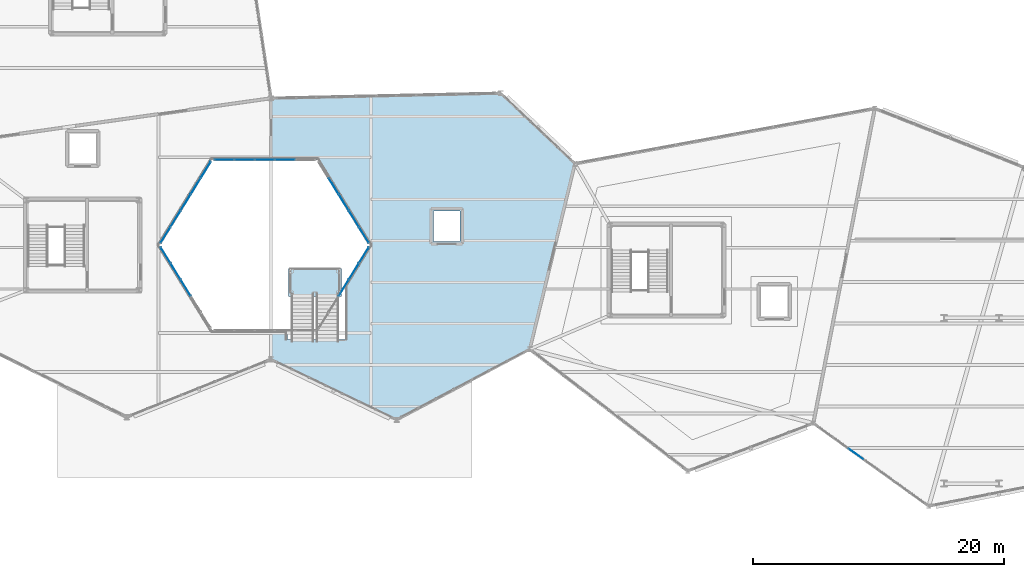
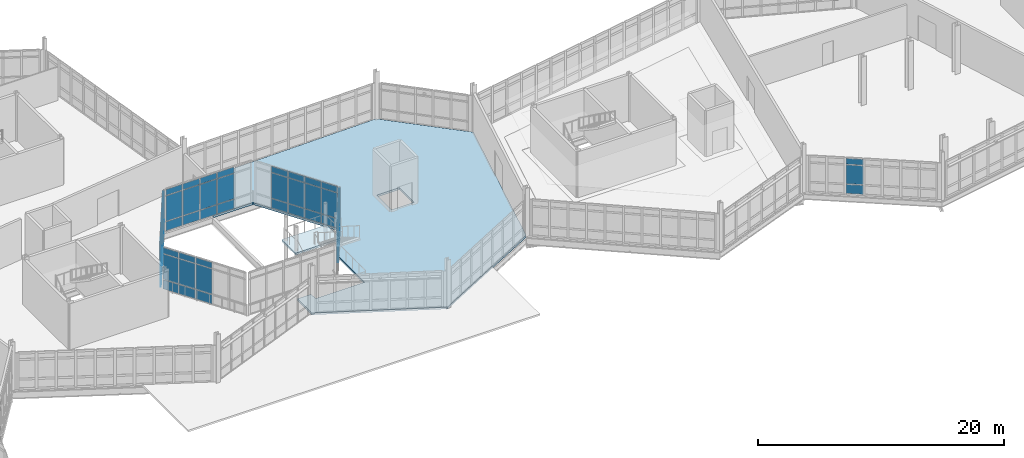
# One storey, part 88 of 134: 60 plates, 2 slabs, 7 elements without a shape of their own.
"""IFC4 building model written with IfcOpenShell, lengths in metres."""

from ifc_helpers import new_model, si_unit, direction, frame, origin, origin_2d, place, context, subcontext, project, spatial, polyline, rectangle, outline, extrude, material, layer, layer_set, type_object, element, aggregate, save


model = new_model("IFC4")

# Units and contexts
model_context = context("Model", 3, precision=1e-05, world=origin(), true_north=direction((0.0, 1.0)))
body_context = subcontext(model_context, "Body", "Model", "MODEL_VIEW")
ifc_project = project(units=[si_unit("LENGTHUNIT", "METRE"), si_unit("AREAUNIT", "SQUARE_METRE"), si_unit("VOLUMEUNIT", "CUBIC_METRE"), si_unit("PLANEANGLEUNIT", "RADIAN"), si_unit("MASSUNIT", "GRAM", prefix="KILO")], contexts=[model_context])

# Site, building, storey
site_placement = place(None, origin())
site = spatial("IfcSite", under=ifc_project, at=site_placement, CompositionType="ELEMENT")
building_placement = place(site_placement, origin())
building = spatial("IfcBuilding", under=site, at=building_placement, Name="Tameran Prism Museum", CompositionType="ELEMENT")
storey_placement = place(building_placement, frame((0.0, 0.0, 5.39990234375)))
storey = spatial("IfcBuildingStorey", under=building, at=storey_placement, Name="L01", CompositionType="ELEMENT", Elevation=5.39990234375)

# Curtain wall, plates
ifc_material_1 = material(Name="Anodised Aluminium 6063-T6 and Cyclone Solar Glass", Category="aluminium")
curtain_wall_type_1 = type_object("IfcCurtainWallType", Name="CW-ATR-769x424", PredefinedType="USERDEFINED", material=ifc_material_1)
curtain_wall_1_placement = place(storey_placement, origin())
curtain_wall_1 = element("IfcCurtainWall", 1, at=curtain_wall_1_placement, inside=storey, type_object=curtain_wall_type_1, Name="Unitised Curtain Wall CW-001", ObjectType="UNITISED CURTAIN WALL", PredefinedType="USERDEFINED")
ifc_material_2 = material(Name="Low-E Laminated Solar Glass", Category="glass")
ifc_layer_1 = layer(ifc_material_2, 0.028076171875)
ifc_layer_set_1 = layer_set([ifc_layer_1])
plate_type_1 = type_object("IfcPlateType", Name="CW-PNL-G28", PredefinedType="CURTAIN_PANEL", material=ifc_layer_set_1)
plate_1_placement = place(storey_placement, frame((69.091796875, 35.703857421875, 0.06494140625), z_axis=(0.0, 0.0, 1.0), x_axis=(0.525503952357, -0.850791158897, 0.0)))
plate_1 = element("IfcPlate", 2, at=plate_1_placement, type_object=plate_type_1, Name="CW-001 panel 1.1", PredefinedType="CURTAIN_PANEL", context=body_context, shape_type="SweptSolid", body=[
    extrude(rectangle(XDim=1.44091796875, YDim=0.028076171875, at=origin_2d()), origin(), (0.0, 0.0, 1.0), 0.902587890625),
])
plate_2_placement = place(storey_placement, frame((69.091796875, 35.703857421875, 1.032470703125), z_axis=(0.0, 0.0, 1.0), x_axis=(0.525503952357, -0.850791158897, 0.0)))
plate_2 = element("IfcPlate", 3, at=plate_2_placement, type_object=plate_type_1, Name="CW-001 panel 1.2", PredefinedType="CURTAIN_PANEL", context=body_context, shape_type="SweptSolid", body=[
    extrude(rectangle(XDim=1.44091796875, YDim=0.028076171875, at=origin_2d()), origin(), (0.0, 0.0, 1.0), 2.4951171875),
])
plate_3_placement = place(storey_placement, frame((69.091796875, 35.703857421875, 3.592529296875), z_axis=(0.0, 0.0, 1.0), x_axis=(0.525503952357, -0.850791158897, 0.0)))
plate_3 = element("IfcPlate", 4, at=plate_3_placement, type_object=plate_type_1, Name="CW-001 panel 1.3", PredefinedType="CURTAIN_PANEL", context=body_context, shape_type="SweptSolid", body=[
    extrude(rectangle(XDim=1.44091796875, YDim=0.028076171875, at=origin_2d()), origin(), (0.0, 0.0, 1.0), 0.58251953125),
])
plate_4_placement = place(storey_placement, frame((69.8916015625, 34.40869140625, 0.06494140625), z_axis=(0.0, 0.0, 1.0), x_axis=(0.525503952357, -0.850791158897, 0.0)))
plate_4 = element("IfcPlate", 5, at=plate_4_placement, type_object=plate_type_1, Name="CW-001 panel 2.1", PredefinedType="CURTAIN_PANEL", context=body_context, shape_type="SweptSolid", body=[
    extrude(rectangle(XDim=1.473388671875, YDim=0.028076171875, at=origin_2d()), origin(), (0.0, 0.0, 1.0), 0.902587890625),
])
plate_5_placement = place(storey_placement, frame((69.8916015625, 34.40869140625, 1.032470703125), z_axis=(0.0, 0.0, 1.0), x_axis=(0.525503952357, -0.850791158897, 0.0)))
plate_5 = element("IfcPlate", 6, at=plate_5_placement, type_object=plate_type_1, Name="CW-001 panel 2.2", PredefinedType="CURTAIN_PANEL", context=body_context, shape_type="SweptSolid", body=[
    extrude(rectangle(XDim=1.473388671875, YDim=0.028076171875, at=origin_2d()), origin(), (0.0, 0.0, 1.0), 2.4951171875),
])
plate_6_placement = place(storey_placement, frame((69.8916015625, 34.40869140625, 3.592529296875), z_axis=(0.0, 0.0, 1.0), x_axis=(0.525503952357, -0.850791158897, 0.0)))
plate_6 = element("IfcPlate", 7, at=plate_6_placement, type_object=plate_type_1, Name="CW-001 panel 2.3", PredefinedType="CURTAIN_PANEL", context=body_context, shape_type="SweptSolid", body=[
    extrude(rectangle(XDim=1.473388671875, YDim=0.028076171875, at=origin_2d()), origin(), (0.0, 0.0, 1.0), 0.58251953125),
])
plate_7_placement = place(storey_placement, frame((70.699951171875, 33.10009765625, 0.06494140625), z_axis=(0.0, 0.0, 1.0), x_axis=(0.525503952357, -0.850791158897, 0.0)))
plate_7 = element("IfcPlate", 8, at=plate_7_placement, type_object=plate_type_1, Name="CW-001 panel 3.1", PredefinedType="CURTAIN_PANEL", context=body_context, shape_type="SweptSolid", body=[
    extrude(rectangle(XDim=1.473388671875, YDim=0.028076171875, at=origin_2d()), origin(), (0.0, 0.0, 1.0), 0.902587890625),
])
plate_8_placement = place(storey_placement, frame((70.699951171875, 33.10009765625, 1.032470703125), z_axis=(0.0, 0.0, 1.0), x_axis=(0.525503952357, -0.850791158897, 0.0)))
plate_8 = element("IfcPlate", 9, at=plate_8_placement, type_object=plate_type_1, Name="CW-001 panel 3.2", PredefinedType="CURTAIN_PANEL", context=body_context, shape_type="SweptSolid", body=[
    extrude(rectangle(XDim=1.473388671875, YDim=0.028076171875, at=origin_2d()), origin(), (0.0, 0.0, 1.0), 2.4951171875),
])
plate_9_placement = place(storey_placement, frame((70.699951171875, 33.10009765625, 3.592529296875), z_axis=(0.0, 0.0, 1.0), x_axis=(0.525503952357, -0.850791158897, 0.0)))
plate_9 = element("IfcPlate", 10, at=plate_9_placement, type_object=plate_type_1, Name="CW-001 panel 3.3", PredefinedType="CURTAIN_PANEL", context=body_context, shape_type="SweptSolid", body=[
    extrude(rectangle(XDim=1.473388671875, YDim=0.028076171875, at=origin_2d()), origin(), (0.0, 0.0, 1.0), 0.58251953125),
])
aggregate(curtain_wall_1, [plate_1, plate_2, plate_3, plate_4, plate_5, plate_6, plate_7, plate_8, plate_9])

curtain_wall_2_placement = place(storey_placement, origin())
curtain_wall_2 = element("IfcCurtainWall", 11, at=curtain_wall_2_placement, inside=storey, type_object=curtain_wall_type_1, Name="Unitised Curtain Wall CW-003", ObjectType="UNITISED CURTAIN WALL", PredefinedType="USERDEFINED")
plate_10_placement = place(storey_placement, frame((83.300048828125, 33.10009765625, 0.06494140625), z_axis=(0.0, 0.0, 1.0), x_axis=(0.525503952357, 0.850791158897, 0.0)))
plate_10 = element("IfcPlate", 12, at=plate_10_placement, type_object=plate_type_1, Name="CW-003 panel 3.1", PredefinedType="CURTAIN_PANEL", context=body_context, shape_type="SweptSolid", body=[
    extrude(rectangle(XDim=1.473388671875, YDim=0.028076171875, at=origin_2d()), origin(), (0.0, 0.0, 1.0), 0.902587890625),
])
plate_11_placement = place(storey_placement, frame((83.300048828125, 33.10009765625, 1.032470703125), z_axis=(0.0, 0.0, 1.0), x_axis=(0.525503952357, 0.850791158897, 0.0)))
plate_11 = element("IfcPlate", 13, at=plate_11_placement, type_object=plate_type_1, Name="CW-003 panel 3.2", PredefinedType="CURTAIN_PANEL", context=body_context, shape_type="SweptSolid", body=[
    extrude(rectangle(XDim=1.473388671875, YDim=0.028076171875, at=origin_2d()), origin(), (0.0, 0.0, 1.0), 2.4951171875),
])
plate_12_placement = place(storey_placement, frame((83.300048828125, 33.10009765625, 3.592529296875), z_axis=(0.0, 0.0, 1.0), x_axis=(0.525503952357, 0.850791158897, 0.0)))
plate_12 = element("IfcPlate", 14, at=plate_12_placement, type_object=plate_type_1, Name="CW-003 panel 3.3", PredefinedType="CURTAIN_PANEL", context=body_context, shape_type="SweptSolid", body=[
    extrude(rectangle(XDim=1.473388671875, YDim=0.028076171875, at=origin_2d()), origin(), (0.0, 0.0, 1.0), 0.58251953125),
])
plate_13_placement = place(storey_placement, frame((84.1083984375, 34.40869140625, 0.06494140625), z_axis=(0.0, 0.0, 1.0), x_axis=(0.525503952357, 0.850791158897, 0.0)))
plate_13 = element("IfcPlate", 15, at=plate_13_placement, type_object=plate_type_1, Name="CW-003 panel 4.1", PredefinedType="CURTAIN_PANEL", context=body_context, shape_type="SweptSolid", body=[
    extrude(rectangle(XDim=1.473388671875, YDim=0.028076171875, at=origin_2d()), origin(), (0.0, 0.0, 1.0), 0.902587890625),
])
plate_14_placement = place(storey_placement, frame((84.1083984375, 34.40869140625, 1.032470703125), z_axis=(0.0, 0.0, 1.0), x_axis=(0.525503952357, 0.850791158897, 0.0)))
plate_14 = element("IfcPlate", 16, at=plate_14_placement, type_object=plate_type_1, Name="CW-003 panel 4.2", PredefinedType="CURTAIN_PANEL", context=body_context, shape_type="SweptSolid", body=[
    extrude(rectangle(XDim=1.473388671875, YDim=0.028076171875, at=origin_2d()), origin(), (0.0, 0.0, 1.0), 2.4951171875),
])
plate_15_placement = place(storey_placement, frame((84.1083984375, 34.40869140625, 3.592529296875), z_axis=(0.0, 0.0, 1.0), x_axis=(0.525503952357, 0.850791158897, 0.0)))
plate_15 = element("IfcPlate", 17, at=plate_15_placement, type_object=plate_type_1, Name="CW-003 panel 4.3", PredefinedType="CURTAIN_PANEL", context=body_context, shape_type="SweptSolid", body=[
    extrude(rectangle(XDim=1.473388671875, YDim=0.028076171875, at=origin_2d()), origin(), (0.0, 0.0, 1.0), 0.58251953125),
])
plate_16_placement = place(storey_placement, frame((84.908203125, 35.703857421875, 0.06494140625), z_axis=(0.0, 0.0, 1.0), x_axis=(0.525503952357, 0.850791158897, 0.0)))
plate_16 = element("IfcPlate", 18, at=plate_16_placement, type_object=plate_type_1, Name="CW-003 panel 5.1", PredefinedType="CURTAIN_PANEL", context=body_context, shape_type="SweptSolid", body=[
    extrude(rectangle(XDim=1.44091796875, YDim=0.028076171875, at=origin_2d()), origin(), (0.0, 0.0, 1.0), 0.902587890625),
])
plate_17_placement = place(storey_placement, frame((84.908203125, 35.703857421875, 1.032470703125), z_axis=(0.0, 0.0, 1.0), x_axis=(0.525503952357, 0.850791158897, 0.0)))
plate_17 = element("IfcPlate", 19, at=plate_17_placement, type_object=plate_type_1, Name="CW-003 panel 5.2", PredefinedType="CURTAIN_PANEL", context=body_context, shape_type="SweptSolid", body=[
    extrude(rectangle(XDim=1.44091796875, YDim=0.028076171875, at=origin_2d()), origin(), (0.0, 0.0, 1.0), 2.4951171875),
])
plate_18_placement = place(storey_placement, frame((84.908203125, 35.703857421875, 3.592529296875), z_axis=(0.0, 0.0, 1.0), x_axis=(0.525503952357, 0.850791158897, 0.0)))
plate_18 = element("IfcPlate", 20, at=plate_18_placement, type_object=plate_type_1, Name="CW-003 panel 5.3", PredefinedType="CURTAIN_PANEL", context=body_context, shape_type="SweptSolid", body=[
    extrude(rectangle(XDim=1.44091796875, YDim=0.028076171875, at=origin_2d()), origin(), (0.0, 0.0, 1.0), 0.58251953125),
])
aggregate(curtain_wall_2, [plate_10, plate_11, plate_12, plate_13, plate_14, plate_15, plate_16, plate_17, plate_18])

curtain_wall_3_placement = place(storey_placement, origin())
curtain_wall_3 = element("IfcCurtainWall", 21, at=curtain_wall_3_placement, inside=storey, type_object=curtain_wall_type_1, Name="Unitised Curtain Wall CW-004", ObjectType="UNITISED CURTAIN WALL", PredefinedType="USERDEFINED")
plate_19_placement = place(storey_placement, frame((84.908203125, 37.296142578125, 0.06494140625), z_axis=(0.0, 0.0, 1.0), x_axis=(-0.525503952357, 0.850791158897, 0.0)))
plate_19 = element("IfcPlate", 22, at=plate_19_placement, type_object=plate_type_1, Name="CW-004 panel 1.1", PredefinedType="CURTAIN_PANEL", context=body_context, shape_type="SweptSolid", body=[
    extrude(rectangle(XDim=1.44091796875, YDim=0.028076171875, at=origin_2d()), origin(), (0.0, 0.0, 1.0), 0.902587890625),
])
plate_20_placement = place(storey_placement, frame((84.908203125, 37.296142578125, 1.032470703125), z_axis=(0.0, 0.0, 1.0), x_axis=(-0.525503952357, 0.850791158897, 0.0)))
plate_20 = element("IfcPlate", 23, at=plate_20_placement, type_object=plate_type_1, Name="CW-004 panel 1.2", PredefinedType="CURTAIN_PANEL", context=body_context, shape_type="SweptSolid", body=[
    extrude(rectangle(XDim=1.44091796875, YDim=0.028076171875, at=origin_2d()), origin(), (0.0, 0.0, 1.0), 2.4951171875),
])
plate_21_placement = place(storey_placement, frame((84.908203125, 37.296142578125, 3.592529296875), z_axis=(0.0, 0.0, 1.0), x_axis=(-0.525503952357, 0.850791158897, 0.0)))
plate_21 = element("IfcPlate", 24, at=plate_21_placement, type_object=plate_type_1, Name="CW-004 panel 1.3", PredefinedType="CURTAIN_PANEL", context=body_context, shape_type="SweptSolid", body=[
    extrude(rectangle(XDim=1.44091796875, YDim=0.028076171875, at=origin_2d()), origin(), (0.0, 0.0, 1.0), 0.58251953125),
])
plate_22_placement = place(storey_placement, frame((84.1083984375, 38.59130859375, 0.06494140625), z_axis=(0.0, 0.0, 1.0), x_axis=(-0.525503952357, 0.850791158897, 0.0)))
plate_22 = element("IfcPlate", 25, at=plate_22_placement, type_object=plate_type_1, Name="CW-004 panel 2.1", PredefinedType="CURTAIN_PANEL", context=body_context, shape_type="SweptSolid", body=[
    extrude(rectangle(XDim=1.473388671875, YDim=0.028076171875, at=origin_2d()), origin(), (0.0, 0.0, 1.0), 0.902587890625),
])
plate_23_placement = place(storey_placement, frame((84.1083984375, 38.59130859375, 1.032470703125), z_axis=(0.0, 0.0, 1.0), x_axis=(-0.525503952357, 0.850791158897, 0.0)))
plate_23 = element("IfcPlate", 26, at=plate_23_placement, type_object=plate_type_1, Name="CW-004 panel 2.2", PredefinedType="CURTAIN_PANEL", context=body_context, shape_type="SweptSolid", body=[
    extrude(rectangle(XDim=1.473388671875, YDim=0.028076171875, at=origin_2d()), origin(), (0.0, 0.0, 1.0), 2.4951171875),
])
plate_24_placement = place(storey_placement, frame((84.1083984375, 38.59130859375, 3.592529296875), z_axis=(0.0, 0.0, 1.0), x_axis=(-0.525503952357, 0.850791158897, 0.0)))
plate_24 = element("IfcPlate", 27, at=plate_24_placement, type_object=plate_type_1, Name="CW-004 panel 2.3", PredefinedType="CURTAIN_PANEL", context=body_context, shape_type="SweptSolid", body=[
    extrude(rectangle(XDim=1.473388671875, YDim=0.028076171875, at=origin_2d()), origin(), (0.0, 0.0, 1.0), 0.58251953125),
])
plate_25_placement = place(storey_placement, frame((83.300048828125, 39.89990234375, 0.06494140625), z_axis=(0.0, 0.0, 1.0), x_axis=(-0.525503952357, 0.850791158897, 0.0)))
plate_25 = element("IfcPlate", 28, at=plate_25_placement, type_object=plate_type_1, Name="CW-004 panel 3.1", PredefinedType="CURTAIN_PANEL", context=body_context, shape_type="SweptSolid", body=[
    extrude(rectangle(XDim=1.473388671875, YDim=0.028076171875, at=origin_2d()), origin(), (0.0, 0.0, 1.0), 0.902587890625),
])
plate_26_placement = place(storey_placement, frame((83.300048828125, 39.89990234375, 1.032470703125), z_axis=(0.0, 0.0, 1.0), x_axis=(-0.525503952357, 0.850791158897, 0.0)))
plate_26 = element("IfcPlate", 29, at=plate_26_placement, type_object=plate_type_1, Name="CW-004 panel 3.2", PredefinedType="CURTAIN_PANEL", context=body_context, shape_type="SweptSolid", body=[
    extrude(rectangle(XDim=1.473388671875, YDim=0.028076171875, at=origin_2d()), origin(), (0.0, 0.0, 1.0), 2.4951171875),
])
plate_27_placement = place(storey_placement, frame((83.300048828125, 39.89990234375, 3.592529296875), z_axis=(0.0, 0.0, 1.0), x_axis=(-0.525503952357, 0.850791158897, 0.0)))
plate_27 = element("IfcPlate", 30, at=plate_27_placement, type_object=plate_type_1, Name="CW-004 panel 3.3", PredefinedType="CURTAIN_PANEL", context=body_context, shape_type="SweptSolid", body=[
    extrude(rectangle(XDim=1.473388671875, YDim=0.028076171875, at=origin_2d()), origin(), (0.0, 0.0, 1.0), 0.58251953125),
])
plate_28_placement = place(storey_placement, frame((82.49169921875, 41.208740234375, 0.06494140625), z_axis=(0.0, 0.0, 1.0), x_axis=(-0.525503952357, 0.850791158897, 0.0)))
plate_28 = element("IfcPlate", 31, at=plate_28_placement, type_object=plate_type_1, Name="CW-004 panel 4.1", PredefinedType="CURTAIN_PANEL", context=body_context, shape_type="SweptSolid", body=[
    extrude(rectangle(XDim=1.473388671875, YDim=0.028076171875, at=origin_2d()), origin(), (0.0, 0.0, 1.0), 0.902587890625),
])
plate_29_placement = place(storey_placement, frame((82.49169921875, 41.208740234375, 1.032470703125), z_axis=(0.0, 0.0, 1.0), x_axis=(-0.525503952357, 0.850791158897, 0.0)))
plate_29 = element("IfcPlate", 32, at=plate_29_placement, type_object=plate_type_1, Name="CW-004 panel 4.2", PredefinedType="CURTAIN_PANEL", context=body_context, shape_type="SweptSolid", body=[
    extrude(rectangle(XDim=1.473388671875, YDim=0.028076171875, at=origin_2d()), origin(), (0.0, 0.0, 1.0), 2.4951171875),
])
plate_30_placement = place(storey_placement, frame((82.49169921875, 41.208740234375, 3.592529296875), z_axis=(0.0, 0.0, 1.0), x_axis=(-0.525503952357, 0.850791158897, 0.0)))
plate_30 = element("IfcPlate", 33, at=plate_30_placement, type_object=plate_type_1, Name="CW-004 panel 4.3", PredefinedType="CURTAIN_PANEL", context=body_context, shape_type="SweptSolid", body=[
    extrude(rectangle(XDim=1.473388671875, YDim=0.028076171875, at=origin_2d()), origin(), (0.0, 0.0, 1.0), 0.58251953125),
])
aggregate(curtain_wall_3, [plate_19, plate_20, plate_21, plate_22, plate_23, plate_24, plate_25, plate_26, plate_27, plate_28, plate_29, plate_30])

ifc_material_3 = material(Name="Anodised Aluminium 6063-T6 and Cyclone Solar Glass", Category="aluminium")
curtain_wall_type_2 = type_object("IfcCurtainWallType", Name="CW-ATR-810x424", PredefinedType="USERDEFINED", material=ifc_material_3)
curtain_wall_4_placement = place(storey_placement, origin())
curtain_wall_4 = element("IfcCurtainWall", 34, at=curtain_wall_4_placement, inside=storey, type_object=curtain_wall_type_2, Name="Unitised Curtain Wall CW-005", ObjectType="UNITISED CURTAIN WALL", PredefinedType="USERDEFINED")
plate_31_placement = place(storey_placement, frame((78.6201171875, 43.300048828125, 0.06494140625), z_axis=(0.0, 0.0, 1.0), x_axis=(-1.0, 0.0, 0.0)))
plate_31 = element("IfcPlate", 35, at=plate_31_placement, type_object=plate_type_1, Name="CW-005 panel 2.1", PredefinedType="CURTAIN_PANEL", context=body_context, shape_type="SweptSolid", body=[
    extrude(rectangle(XDim=1.554931640625, YDim=0.028076171875, at=origin_2d()), origin(), (0.0, 0.0, 1.0), 0.902587890625),
])
plate_32_placement = place(storey_placement, frame((78.6201171875, 43.300048828125, 1.032470703125), z_axis=(0.0, 0.0, 1.0), x_axis=(-1.0, 0.0, 0.0)))
plate_32 = element("IfcPlate", 36, at=plate_32_placement, type_object=plate_type_1, Name="CW-005 panel 2.2", PredefinedType="CURTAIN_PANEL", context=body_context, shape_type="SweptSolid", body=[
    extrude(rectangle(XDim=1.554931640625, YDim=0.028076171875, at=origin_2d()), origin(), (0.0, 0.0, 1.0), 2.4951171875),
])
plate_33_placement = place(storey_placement, frame((78.6201171875, 43.300048828125, 3.592529296875), z_axis=(0.0, 0.0, 1.0), x_axis=(-1.0, 0.0, 0.0)))
plate_33 = element("IfcPlate", 37, at=plate_33_placement, type_object=plate_type_1, Name="CW-005 panel 2.3", PredefinedType="CURTAIN_PANEL", context=body_context, shape_type="SweptSolid", body=[
    extrude(rectangle(XDim=1.554931640625, YDim=0.028076171875, at=origin_2d()), origin(), (0.0, 0.0, 1.0), 0.58251953125),
])
plate_34_placement = place(storey_placement, frame((77.0, 43.300048828125, 0.06494140625), z_axis=(0.0, 0.0, 1.0), x_axis=(-1.0, 0.0, 0.0)))
plate_34 = element("IfcPlate", 38, at=plate_34_placement, type_object=plate_type_1, Name="CW-005 panel 3.1", PredefinedType="CURTAIN_PANEL", context=body_context, shape_type="SweptSolid", body=[
    extrude(rectangle(XDim=1.554931640625, YDim=0.028076171875, at=origin_2d()), origin(), (0.0, 0.0, 1.0), 0.902587890625),
])
plate_35_placement = place(storey_placement, frame((77.0, 43.300048828125, 1.032470703125), z_axis=(0.0, 0.0, 1.0), x_axis=(-1.0, 0.0, 0.0)))
plate_35 = element("IfcPlate", 39, at=plate_35_placement, type_object=plate_type_1, Name="CW-005 panel 3.2", PredefinedType="CURTAIN_PANEL", context=body_context, shape_type="SweptSolid", body=[
    extrude(rectangle(XDim=1.554931640625, YDim=0.028076171875, at=origin_2d()), origin(), (0.0, 0.0, 1.0), 2.4951171875),
])
plate_36_placement = place(storey_placement, frame((77.0, 43.300048828125, 3.592529296875), z_axis=(0.0, 0.0, 1.0), x_axis=(-1.0, 0.0, 0.0)))
plate_36 = element("IfcPlate", 40, at=plate_36_placement, type_object=plate_type_1, Name="CW-005 panel 3.3", PredefinedType="CURTAIN_PANEL", context=body_context, shape_type="SweptSolid", body=[
    extrude(rectangle(XDim=1.554931640625, YDim=0.028076171875, at=origin_2d()), origin(), (0.0, 0.0, 1.0), 0.58251953125),
])
plate_37_placement = place(storey_placement, frame((75.3798828125, 43.300048828125, 0.06494140625), z_axis=(0.0, 0.0, 1.0), x_axis=(-1.0, 0.0, 0.0)))
plate_37 = element("IfcPlate", 41, at=plate_37_placement, type_object=plate_type_1, Name="CW-005 panel 4.1", PredefinedType="CURTAIN_PANEL", context=body_context, shape_type="SweptSolid", body=[
    extrude(rectangle(XDim=1.554931640625, YDim=0.028076171875, at=origin_2d()), origin(), (0.0, 0.0, 1.0), 0.902587890625),
])
plate_38_placement = place(storey_placement, frame((75.3798828125, 43.300048828125, 1.032470703125), z_axis=(0.0, 0.0, 1.0), x_axis=(-1.0, 0.0, 0.0)))
plate_38 = element("IfcPlate", 42, at=plate_38_placement, type_object=plate_type_1, Name="CW-005 panel 4.2", PredefinedType="CURTAIN_PANEL", context=body_context, shape_type="SweptSolid", body=[
    extrude(rectangle(XDim=1.554931640625, YDim=0.028076171875, at=origin_2d()), origin(), (0.0, 0.0, 1.0), 2.4951171875),
])
plate_39_placement = place(storey_placement, frame((75.3798828125, 43.300048828125, 3.592529296875), z_axis=(0.0, 0.0, 1.0), x_axis=(-1.0, 0.0, 0.0)))
plate_39 = element("IfcPlate", 43, at=plate_39_placement, type_object=plate_type_1, Name="CW-005 panel 4.3", PredefinedType="CURTAIN_PANEL", context=body_context, shape_type="SweptSolid", body=[
    extrude(rectangle(XDim=1.554931640625, YDim=0.028076171875, at=origin_2d()), origin(), (0.0, 0.0, 1.0), 0.58251953125),
])
plate_40_placement = place(storey_placement, frame((73.7763671875, 43.300048828125, 0.06494140625), z_axis=(0.0, 0.0, 1.0), x_axis=(-1.0, 0.0, 0.0)))
plate_40 = element("IfcPlate", 44, at=plate_40_placement, type_object=plate_type_1, Name="CW-005 panel 5.1", PredefinedType="CURTAIN_PANEL", context=body_context, shape_type="SweptSolid", body=[
    extrude(rectangle(XDim=1.5224609375, YDim=0.028076171875, at=origin_2d()), origin(), (0.0, 0.0, 1.0), 0.902587890625),
])
plate_41_placement = place(storey_placement, frame((73.7763671875, 43.300048828125, 1.032470703125), z_axis=(0.0, 0.0, 1.0), x_axis=(-1.0, 0.0, 0.0)))
plate_41 = element("IfcPlate", 45, at=plate_41_placement, type_object=plate_type_1, Name="CW-005 panel 5.2", PredefinedType="CURTAIN_PANEL", context=body_context, shape_type="SweptSolid", body=[
    extrude(rectangle(XDim=1.5224609375, YDim=0.028076171875, at=origin_2d()), origin(), (0.0, 0.0, 1.0), 2.4951171875),
])
plate_42_placement = place(storey_placement, frame((73.7763671875, 43.300048828125, 3.592529296875), z_axis=(0.0, 0.0, 1.0), x_axis=(-1.0, 0.0, 0.0)))
plate_42 = element("IfcPlate", 46, at=plate_42_placement, type_object=plate_type_1, Name="CW-005 panel 5.3", PredefinedType="CURTAIN_PANEL", context=body_context, shape_type="SweptSolid", body=[
    extrude(rectangle(XDim=1.5224609375, YDim=0.028076171875, at=origin_2d()), origin(), (0.0, 0.0, 1.0), 0.58251953125),
])
aggregate(curtain_wall_4, [plate_31, plate_32, plate_33, plate_34, plate_35, plate_36, plate_37, plate_38, plate_39, plate_40, plate_41, plate_42])

curtain_wall_5_placement = place(storey_placement, origin())
curtain_wall_5 = element("IfcCurtainWall", 47, at=curtain_wall_5_placement, inside=storey, type_object=curtain_wall_type_1, Name="Unitised Curtain Wall CW-006", ObjectType="UNITISED CURTAIN WALL", PredefinedType="USERDEFINED")
plate_43_placement = place(storey_placement, frame((72.308349609375, 42.503662109375, 0.06494140625), z_axis=(0.0, 0.0, 1.0), x_axis=(-0.525503952357, -0.850791158897, 0.0)))
plate_43 = element("IfcPlate", 48, at=plate_43_placement, type_object=plate_type_1, Name="CW-006 panel 1.1", PredefinedType="CURTAIN_PANEL", context=body_context, shape_type="SweptSolid", body=[
    extrude(rectangle(XDim=1.44091796875, YDim=0.028076171875, at=origin_2d()), origin(), (0.0, 0.0, 1.0), 0.902587890625),
])
plate_44_placement = place(storey_placement, frame((72.308349609375, 42.503662109375, 1.032470703125), z_axis=(0.0, 0.0, 1.0), x_axis=(-0.525503952357, -0.850791158897, 0.0)))
plate_44 = element("IfcPlate", 49, at=plate_44_placement, type_object=plate_type_1, Name="CW-006 panel 1.2", PredefinedType="CURTAIN_PANEL", context=body_context, shape_type="SweptSolid", body=[
    extrude(rectangle(XDim=1.44091796875, YDim=0.028076171875, at=origin_2d()), origin(), (0.0, 0.0, 1.0), 2.4951171875),
])
plate_45_placement = place(storey_placement, frame((72.308349609375, 42.503662109375, 3.592529296875), z_axis=(0.0, 0.0, 1.0), x_axis=(-0.525503952357, -0.850791158897, 0.0)))
plate_45 = element("IfcPlate", 50, at=plate_45_placement, type_object=plate_type_1, Name="CW-006 panel 1.3", PredefinedType="CURTAIN_PANEL", context=body_context, shape_type="SweptSolid", body=[
    extrude(rectangle(XDim=1.44091796875, YDim=0.028076171875, at=origin_2d()), origin(), (0.0, 0.0, 1.0), 0.58251953125),
])
plate_46_placement = place(storey_placement, frame((71.50830078125, 41.208740234375, 0.06494140625), z_axis=(0.0, 0.0, 1.0), x_axis=(-0.525503952357, -0.850791158897, 0.0)))
plate_46 = element("IfcPlate", 51, at=plate_46_placement, type_object=plate_type_1, Name="CW-006 panel 2.1", PredefinedType="CURTAIN_PANEL", context=body_context, shape_type="SweptSolid", body=[
    extrude(rectangle(XDim=1.473388671875, YDim=0.028076171875, at=origin_2d()), origin(), (0.0, 0.0, 1.0), 0.902587890625),
])
plate_47_placement = place(storey_placement, frame((71.50830078125, 41.208740234375, 1.032470703125), z_axis=(0.0, 0.0, 1.0), x_axis=(-0.525503952357, -0.850791158897, 0.0)))
plate_47 = element("IfcPlate", 52, at=plate_47_placement, type_object=plate_type_1, Name="CW-006 panel 2.2", PredefinedType="CURTAIN_PANEL", context=body_context, shape_type="SweptSolid", body=[
    extrude(rectangle(XDim=1.473388671875, YDim=0.028076171875, at=origin_2d()), origin(), (0.0, 0.0, 1.0), 2.4951171875),
])
plate_48_placement = place(storey_placement, frame((71.50830078125, 41.208740234375, 3.592529296875), z_axis=(0.0, 0.0, 1.0), x_axis=(-0.525503952357, -0.850791158897, 0.0)))
plate_48 = element("IfcPlate", 53, at=plate_48_placement, type_object=plate_type_1, Name="CW-006 panel 2.3", PredefinedType="CURTAIN_PANEL", context=body_context, shape_type="SweptSolid", body=[
    extrude(rectangle(XDim=1.473388671875, YDim=0.028076171875, at=origin_2d()), origin(), (0.0, 0.0, 1.0), 0.58251953125),
])
plate_49_placement = place(storey_placement, frame((70.699951171875, 39.89990234375, 0.06494140625), z_axis=(0.0, 0.0, 1.0), x_axis=(-0.525503952357, -0.850791158897, 0.0)))
plate_49 = element("IfcPlate", 54, at=plate_49_placement, type_object=plate_type_1, Name="CW-006 panel 3.1", PredefinedType="CURTAIN_PANEL", context=body_context, shape_type="SweptSolid", body=[
    extrude(rectangle(XDim=1.473388671875, YDim=0.028076171875, at=origin_2d()), origin(), (0.0, 0.0, 1.0), 0.902587890625),
])
plate_50_placement = place(storey_placement, frame((70.699951171875, 39.89990234375, 1.032470703125), z_axis=(0.0, 0.0, 1.0), x_axis=(-0.525503952357, -0.850791158897, 0.0)))
plate_50 = element("IfcPlate", 55, at=plate_50_placement, type_object=plate_type_1, Name="CW-006 panel 3.2", PredefinedType="CURTAIN_PANEL", context=body_context, shape_type="SweptSolid", body=[
    extrude(rectangle(XDim=1.473388671875, YDim=0.028076171875, at=origin_2d()), origin(), (0.0, 0.0, 1.0), 2.4951171875),
])
plate_51_placement = place(storey_placement, frame((70.699951171875, 39.89990234375, 3.592529296875), z_axis=(0.0, 0.0, 1.0), x_axis=(-0.525503952357, -0.850791158897, 0.0)))
plate_51 = element("IfcPlate", 56, at=plate_51_placement, type_object=plate_type_1, Name="CW-006 panel 3.3", PredefinedType="CURTAIN_PANEL", context=body_context, shape_type="SweptSolid", body=[
    extrude(rectangle(XDim=1.473388671875, YDim=0.028076171875, at=origin_2d()), origin(), (0.0, 0.0, 1.0), 0.58251953125),
])
plate_52_placement = place(storey_placement, frame((69.8916015625, 38.59130859375, 0.06494140625), z_axis=(0.0, 0.0, 1.0), x_axis=(-0.525503952357, -0.850791158897, 0.0)))
plate_52 = element("IfcPlate", 57, at=plate_52_placement, type_object=plate_type_1, Name="CW-006 panel 4.1", PredefinedType="CURTAIN_PANEL", context=body_context, shape_type="SweptSolid", body=[
    extrude(rectangle(XDim=1.473388671875, YDim=0.028076171875, at=origin_2d()), origin(), (0.0, 0.0, 1.0), 0.902587890625),
])
plate_53_placement = place(storey_placement, frame((69.8916015625, 38.59130859375, 1.032470703125), z_axis=(0.0, 0.0, 1.0), x_axis=(-0.525503952357, -0.850791158897, 0.0)))
plate_53 = element("IfcPlate", 58, at=plate_53_placement, type_object=plate_type_1, Name="CW-006 panel 4.2", PredefinedType="CURTAIN_PANEL", context=body_context, shape_type="SweptSolid", body=[
    extrude(rectangle(XDim=1.473388671875, YDim=0.028076171875, at=origin_2d()), origin(), (0.0, 0.0, 1.0), 2.4951171875),
])
plate_54_placement = place(storey_placement, frame((69.8916015625, 38.59130859375, 3.592529296875), z_axis=(0.0, 0.0, 1.0), x_axis=(-0.525503952357, -0.850791158897, 0.0)))
plate_54 = element("IfcPlate", 59, at=plate_54_placement, type_object=plate_type_1, Name="CW-006 panel 4.3", PredefinedType="CURTAIN_PANEL", context=body_context, shape_type="SweptSolid", body=[
    extrude(rectangle(XDim=1.473388671875, YDim=0.028076171875, at=origin_2d()), origin(), (0.0, 0.0, 1.0), 0.58251953125),
])
plate_55_placement = place(storey_placement, frame((69.091796875, 37.296142578125, 0.06494140625), z_axis=(0.0, 0.0, 1.0), x_axis=(-0.525503952357, -0.850791158897, 0.0)))
plate_55 = element("IfcPlate", 60, at=plate_55_placement, type_object=plate_type_1, Name="CW-006 panel 5.1", PredefinedType="CURTAIN_PANEL", context=body_context, shape_type="SweptSolid", body=[
    extrude(rectangle(XDim=1.44091796875, YDim=0.028076171875, at=origin_2d()), origin(), (0.0, 0.0, 1.0), 0.902587890625),
])
plate_56_placement = place(storey_placement, frame((69.091796875, 37.296142578125, 1.032470703125), z_axis=(0.0, 0.0, 1.0), x_axis=(-0.525503952357, -0.850791158897, 0.0)))
plate_56 = element("IfcPlate", 61, at=plate_56_placement, type_object=plate_type_1, Name="CW-006 panel 5.2", PredefinedType="CURTAIN_PANEL", context=body_context, shape_type="SweptSolid", body=[
    extrude(rectangle(XDim=1.44091796875, YDim=0.028076171875, at=origin_2d()), origin(), (0.0, 0.0, 1.0), 2.4951171875),
])
plate_57_placement = place(storey_placement, frame((69.091796875, 37.296142578125, 3.592529296875), z_axis=(0.0, 0.0, 1.0), x_axis=(-0.525503952357, -0.850791158897, 0.0)))
plate_57 = element("IfcPlate", 62, at=plate_57_placement, type_object=plate_type_1, Name="CW-006 panel 5.3", PredefinedType="CURTAIN_PANEL", context=body_context, shape_type="SweptSolid", body=[
    extrude(rectangle(XDim=1.44091796875, YDim=0.028076171875, at=origin_2d()), origin(), (0.0, 0.0, 1.0), 0.58251953125),
])
aggregate(curtain_wall_5, [plate_43, plate_44, plate_45, plate_46, plate_47, plate_48, plate_49, plate_50, plate_51, plate_52, plate_53, plate_54, plate_55, plate_56, plate_57])

ifc_material_4 = material(Name="Anodised Aluminium 6063-T6 and Cyclone Solar Glass", Category="aluminium")
curtain_wall_type_3 = type_object("IfcCurtainWallType", Name="CW-FAC-1056x362", PredefinedType="USERDEFINED", material=ifc_material_4)
curtain_wall_6_placement = place(storey_placement, origin())
curtain_wall_6 = element("IfcCurtainWall", 63, at=curtain_wall_6_placement, inside=storey, type_object=curtain_wall_type_3, Name="Unitised Curtain Wall CW-076", ObjectType="UNITISED CURTAIN WALL", PredefinedType="USERDEFINED")
ifc_material_5 = material(Name="Cyclone Laminated Solar Glass", Category="glass")
ifc_layer_2 = layer(ifc_material_5, 0.031982421875)
ifc_layer_set_2 = layer_set([ifc_layer_2])
plate_type_2 = type_object("IfcPlateType", Name="CW-PNL-G32", PredefinedType="CURTAIN_PANEL", material=ifc_layer_set_2)
plate_58_placement = place(storey_placement, frame((124.098388671875, 19.862060546875, 0.070068359375), z_axis=(0.0, 0.0, 1.0), x_axis=(-0.812554821293, 0.582884776259, 0.0)))
plate_58 = element("IfcPlate", 64, at=plate_58_placement, type_object=plate_type_2, Name="CW-076 panel 5.1", PredefinedType="CURTAIN_PANEL", context=body_context, shape_type="SweptSolid", body=[
    extrude(rectangle(XDim=1.43896484375, YDim=0.031982421875, at=origin_2d()), origin(), (0.0, 0.0, 1.0), 0.89501953125),
])
plate_59_placement = place(storey_placement, frame((124.098388671875, 19.862060546875, 1.03515625), z_axis=(0.0, 0.0, 1.0), x_axis=(-0.812554821293, 0.582884776259, 0.0)))
plate_59 = element("IfcPlate", 65, at=plate_59_placement, type_object=plate_type_2, Name="CW-076 panel 5.2", PredefinedType="CURTAIN_PANEL", context=body_context, shape_type="SweptSolid", body=[
    extrude(rectangle(XDim=1.43896484375, YDim=0.031982421875, at=origin_2d()), origin(), (0.0, 0.0, 1.0), 1.8701171875),
])
plate_60_placement = place(storey_placement, frame((124.098388671875, 19.862060546875, 2.97509765625), z_axis=(0.0, 0.0, 1.0), x_axis=(-0.812554821293, 0.582884776259, 0.0)))
plate_60 = element("IfcPlate", 66, at=plate_60_placement, type_object=plate_type_2, Name="CW-076 panel 5.3", PredefinedType="CURTAIN_PANEL", context=body_context, shape_type="SweptSolid", body=[
    extrude(rectangle(XDim=1.43896484375, YDim=0.031982421875, at=origin_2d()), origin(), (0.0, 0.0, 1.0), 0.574951171875),
])
aggregate(curtain_wall_6, [plate_58, plate_59, plate_60])

# Slab
ifc_material_6 = material(Name="Concrete N32 (32 MPa)", Category="concrete")
ifc_layer_3 = layer(ifc_material_6, 0.199951171875)
ifc_layer_set_3 = layer_set([ifc_layer_3])
slab_type_1 = type_object("IfcSlabType", Name="SL-FLR-200", PredefinedType="FLOOR", material=ifc_layer_set_3)
slab_1_placement = place(storey_placement, frame((0.0, 0.0, -0.199951171875)))
element("IfcSlab", 67, at=slab_1_placement, inside=storey, type_object=slab_type_1, Name="Floor Slab FS-P06-L01", PredefinedType="FLOOR", context=body_context, shape_type="SweptSolid", body=[
    extrude(outline(polyline([(77.5, 48.199951171875), (95.800048828125, 48.60009765625), (101.699951171875, 43.0), (98.10009765625, 28.199951171875), (87.5, 22.60009765625), (77.5, 27.39990234375), (77.5, 29.699951171875), (78.800048828125, 29.699951171875), (78.800048828125, 29.0), (83.39990234375, 29.0), (83.39990234375, 33.261962890625), (85.39990234375, 36.5), (81.199951171875, 43.300048828125), (77.5, 43.300048828125), (77.5, 48.199951171875)]), holes=[polyline([(92.550048828125, 36.800048828125), (92.550048828125, 39.199951171875), (90.449951171875, 39.199951171875), (90.449951171875, 36.800048828125), (92.550048828125, 36.800048828125)])]), origin(), (0.0, 0.0, 1.0), 0.199951171875),
])

# Stair, slab
ifc_material_7 = material(Name="Steel Grade 350 (350 MPa)", Category="steel")
stair_type = type_object("IfcStairType", Name="ST-ATR-48", PredefinedType="STRAIGHT_RUN_STAIR", material=ifc_material_7)
stair_placement = place(storey_placement, origin())
stair = element("IfcStair", 68, at=stair_placement, inside=storey, type_object=stair_type, Name="Atrium Feature Stair ST-AT2", PredefinedType="STRAIGHT_RUN_STAIR")
ifc_material_8 = material(Name="Steel Grade 350 (350 MPa)", Category="steel")
ifc_layer_4 = layer(ifc_material_8, 0.195068359375)
ifc_layer_set_4 = layer_set([ifc_layer_4])
slab_type_2 = type_object("IfcSlabType", Name="SL-LND-195", PredefinedType="LANDING", material=ifc_layer_set_4)
slab_2_placement = place(storey_placement, frame((0.0, 0.0, 2.205078125)))
slab_2 = element("IfcSlab", 69, at=slab_2_placement, type_object=slab_type_2, Name="ST-AT2 landing 1", PredefinedType="LANDING", context=body_context, shape_type="SweptSolid", body=[
    extrude(outline(polyline([(78.89990234375, 32.409912109375), (83.10009765625, 32.409912109375), (83.10009765625, 34.639892578125), (78.89990234375, 34.639892578125), (78.89990234375, 32.409912109375)])), origin(), (0.0, 0.0, 1.0), 0.195068359375),
])
aggregate(stair, [slab_2])

save(model, "model.ifc")
